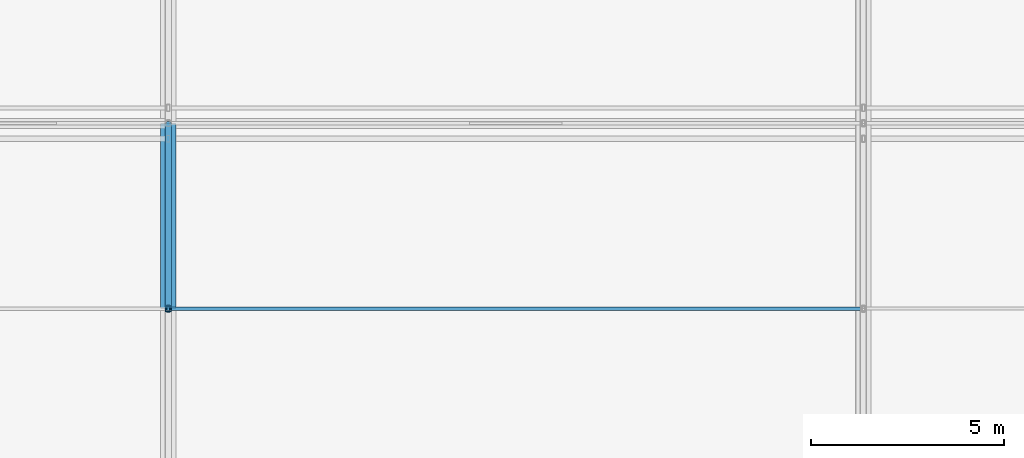
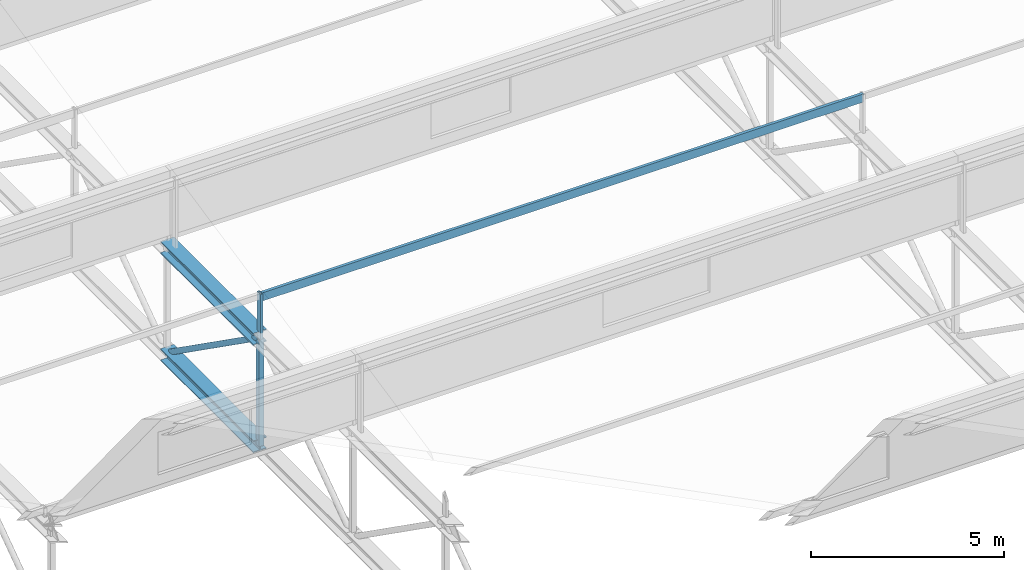
# One storey, part 36 of 136: 4 members, 2 beams.
"""IFC4 building model written with IfcOpenShell, lengths in metres."""

from ifc_helpers import new_model, si_unit, direction, frame, origin, origin_2d, place, context, subcontext, project, spatial, hollow_rectangle, hollow_circle, i_section, u_section, extrude, material, material_profile, profile_set, type_object, element, save


model = new_model("IFC4")

# Units and contexts
model_context = context("Model", 3, precision=1e-05, world=origin(), true_north=direction((0.0, 1.0)))
body_context = subcontext(model_context, "Body", "Model", "MODEL_VIEW")
ifc_project = project(units=[si_unit("LENGTHUNIT", "METRE"), si_unit("AREAUNIT", "SQUARE_METRE"), si_unit("VOLUMEUNIT", "CUBIC_METRE"), si_unit("PLANEANGLEUNIT", "RADIAN"), si_unit("MASSUNIT", "GRAM", prefix="KILO")], contexts=[model_context])

# Site, building, storey
site_placement = place(None, origin())
site = spatial("IfcSite", under=ifc_project, at=site_placement, CompositionType="ELEMENT")
building_placement = place(site_placement, origin())
building = spatial("IfcBuilding", under=site, at=building_placement, Name="Kisiwana Market Hall", CompositionType="ELEMENT")
storey_placement = place(building_placement, frame((0.0, 0.0, 16.800048828125)))
storey = spatial("IfcBuildingStorey", under=building, at=storey_placement, Name="L03", CompositionType="ELEMENT", Elevation=16.800048828125)

# Beams
ifc_material_1 = material(Name="Steel S355", Category="steel")
ifc_material_profile_1 = material_profile(ifc_material_1, i_section(OverallWidth=0.394775390625, OverallDepth=0.381103515625, WebThickness=0.018310546875, FlangeThickness=0.0302734375, at=origin_2d()), Name="UC 356x406x235")
ifc_profile_set_1 = profile_set([ifc_material_profile_1], Name="Steel S355")
beam_type_1 = type_object("IfcBeamType", Name="BM-TRUSS-BOT", PredefinedType="USERDEFINED", material=ifc_profile_set_1)
beam_1_placement = place(storey_placement, frame((117.0, 60.0, 0.22998046875), z_axis=(0.0, 1.0, 0.0), x_axis=(-1.0, 0.0, 0.0)))
element("IfcBeam", 1, at=beam_1_placement, inside=storey, type_object=beam_type_1, Name="TR-06 BC panel 6 B-1283", ObjectType="ROOF TRUSS", PredefinedType="USERDEFINED", context=body_context, shape_type="SweptSolid", body=[
    extrude(i_section(OverallWidth=0.394775390625, OverallDepth=0.381103515625, WebThickness=0.018310546875, FlangeThickness=0.0302734375, at=origin_2d()), origin(), (0.0, 0.0, 1.0), 4.800048828125),
])
ifc_material_2 = material(Name="Steel S355", Category="steel")
ifc_material_profile_2 = material_profile(ifc_material_2, i_section(OverallWidth=0.39892578125, OverallDepth=0.3935546875, WebThickness=0.022705078125, FlangeThickness=0.03662109375, at=origin_2d()), Name="UC 356x406x287")
ifc_profile_set_2 = profile_set([ifc_material_profile_2], Name="Steel S355")
beam_type_2 = type_object("IfcBeamType", Name="BM-TRUSS-TOP", PredefinedType="USERDEFINED", material=ifc_profile_set_2)
beam_2_placement = place(storey_placement, frame((117.0, 60.0, 3.619873046875), z_axis=(0.0, 1.0, 0.0), x_axis=(-1.0, 0.0, 0.0)))
element("IfcBeam", 2, at=beam_2_placement, inside=storey, type_object=beam_type_2, Name="TR-06 TC panel 6 B-1293", ObjectType="ROOF TRUSS", PredefinedType="USERDEFINED", context=body_context, shape_type="SweptSolid", body=[
    extrude(i_section(OverallWidth=0.39892578125, OverallDepth=0.3935546875, WebThickness=0.022705078125, FlangeThickness=0.03662109375, at=origin_2d()), origin(), (0.0, 0.0, 1.0), 4.800048828125),
])

# Members
ifc_material_3 = material(Name="Steel S355", Category="steel")
ifc_material_profile_3 = material_profile(ifc_material_3, hollow_rectangle(XDim=0.080078125, YDim=0.179931640625, WallThickness=0.00634765625, at=origin_2d()), Name="RHS 180x80x6.3")
ifc_profile_set_3 = profile_set([ifc_material_profile_3], Name="Steel S355")
member_type_1 = type_object("IfcMemberType", Name="MB-CAN-STRUT", PredefinedType="STRUT", material=ifc_profile_set_3)
member_1_placement = place(storey_placement, frame((117.0, 60.0, 3.619873046875), z_axis=(0.0, 0.0, 1.0), x_axis=(1.0, 0.0, 0.0)))
element("IfcMember", 3, at=member_1_placement, inside=storey, type_object=member_type_1, Name="Sawtooth mid-slope raker post 35 M-0073", PredefinedType="STRUT", context=body_context, shape_type="SweptSolid", body=[
    extrude(hollow_rectangle(XDim=0.080078125, YDim=0.179931640625, WallThickness=0.00634765625, at=origin_2d()), origin(), (0.0, 0.0, 1.0), 1.42041015625),
])
ifc_material_4 = material(Name="Steel S355", Category="steel")
ifc_material_profile_4 = material_profile(ifc_material_4, u_section(Depth=0.260009765625, FlangeWidth=0.090087890625, WebThickness=0.008056640625, FlangeThickness=0.013916015625, at=origin_2d()), Name="PFC 260x90x35")
ifc_profile_set_4 = profile_set([ifc_material_profile_4], Name="Steel S355")
member_type_2 = type_object("IfcMemberType", Name="MB-PURL-PFC260", PredefinedType="PURLIN", material=ifc_profile_set_4)
member_2_placement = place(storey_placement, frame((117.0, 60.0, 4.90625), z_axis=(1.0, 0.0, 0.0), x_axis=(0.0, 1.0, 0.0)))
element("IfcMember", 4, at=member_2_placement, inside=storey, type_object=member_type_2, Name="Sawtooth mid-slope roof purlin 42 M-0110", PredefinedType="PURLIN", context=body_context, shape_type="SweptSolid", body=[
    extrude(u_section(Depth=0.260009765625, FlangeWidth=0.090087890625, WebThickness=0.008056640625, FlangeThickness=0.013916015625, at=origin_2d()), origin(), (0.0, 0.0, 1.0), 18.0),
])
ifc_material_5 = material(Name="Steel S355", Category="steel")
ifc_material_profile_5 = material_profile(ifc_material_5, hollow_circle(Radius=0.084228515625, WallThickness=0.010009765625, at=origin_2d()), Name="CHS 168.3x10.0")
ifc_profile_set_5 = profile_set([ifc_material_profile_5], Name="Steel S355")
member_type_3 = type_object("IfcMemberType", Name="MB-TR-DIAG168", PredefinedType="BRACE", material=ifc_profile_set_5)
member_3_placement = place(storey_placement, frame((117.0, 60.0, 3.619873046875), z_axis=(0.0, 0.816837735077, -0.576867501732), x_axis=(-1.0, 0.0, 0.0)))
element("IfcMember", 5, at=member_3_placement, inside=storey, type_object=member_type_3, Name="TR-06 diagonal 6 M-0436", PredefinedType="BRACE", context=body_context, shape_type="SweptSolid", body=[
    extrude(hollow_circle(Radius=0.084228515625, WallThickness=0.010009765625, at=origin_2d()), origin(), (0.0, 0.0, 1.0), 5.87646484375),
])
ifc_material_6 = material(Name="Steel S355", Category="steel")
ifc_material_profile_6 = material_profile(ifc_material_6, hollow_rectangle(XDim=0.14990234375, YDim=0.14990234375, WallThickness=0.008056640625, at=origin_2d()), Name="SHS 150x150x8.0")
ifc_profile_set_6 = profile_set([ifc_material_profile_6], Name="Steel S355")
member_type_4 = type_object("IfcMemberType", Name="MB-TR-STRUT200", PredefinedType="STRUT", material=ifc_profile_set_6)
member_4_placement = place(storey_placement, frame((117.0, 60.0, 0.22998046875), z_axis=(0.0, 0.0, 1.0), x_axis=(1.0, 0.0, 0.0)))
element("IfcMember", 6, at=member_4_placement, inside=storey, type_object=member_type_4, Name="TR-06 vertical strut 6 M-0445", PredefinedType="STRUT", context=body_context, shape_type="SweptSolid", body=[
    extrude(hollow_rectangle(XDim=0.14990234375, YDim=0.14990234375, WallThickness=0.008056640625, at=origin_2d()), origin(), (0.0, 0.0, 1.0), 3.389892578125),
])

save(model, "model.ifc")
